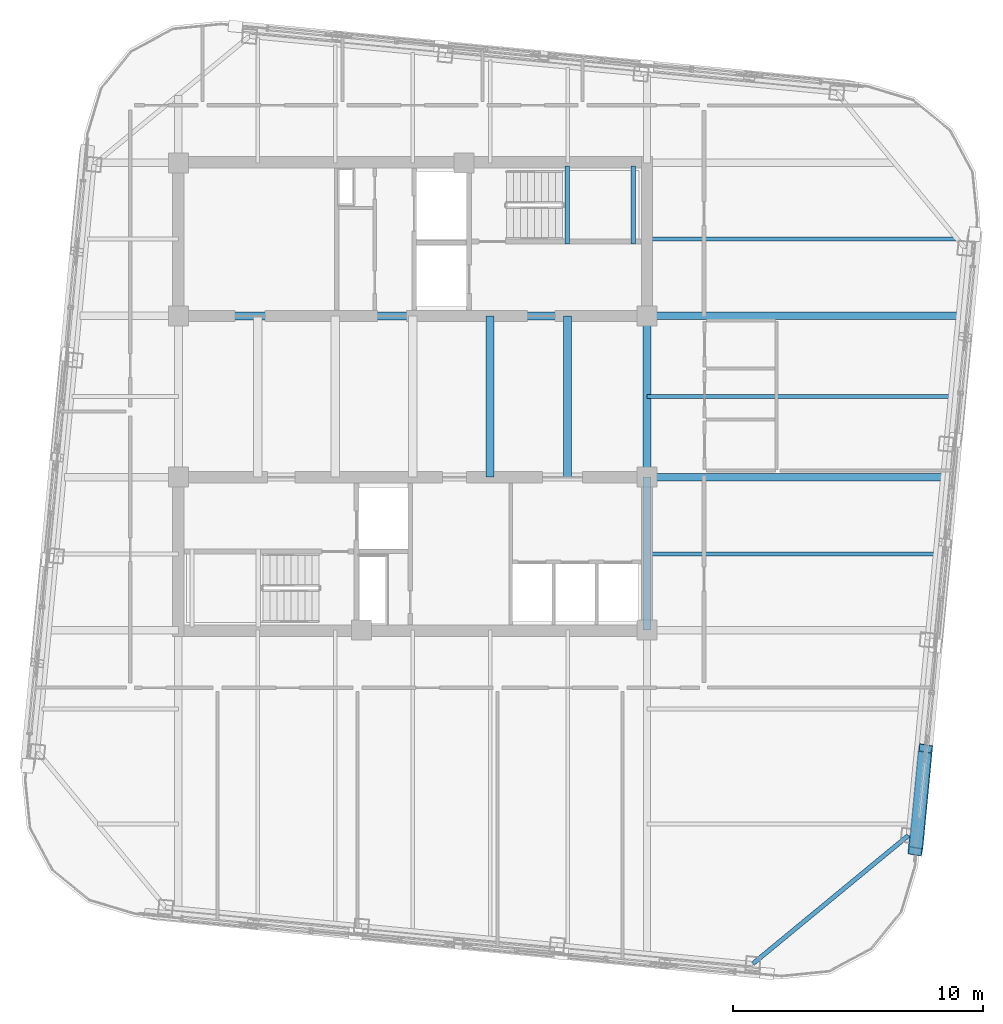
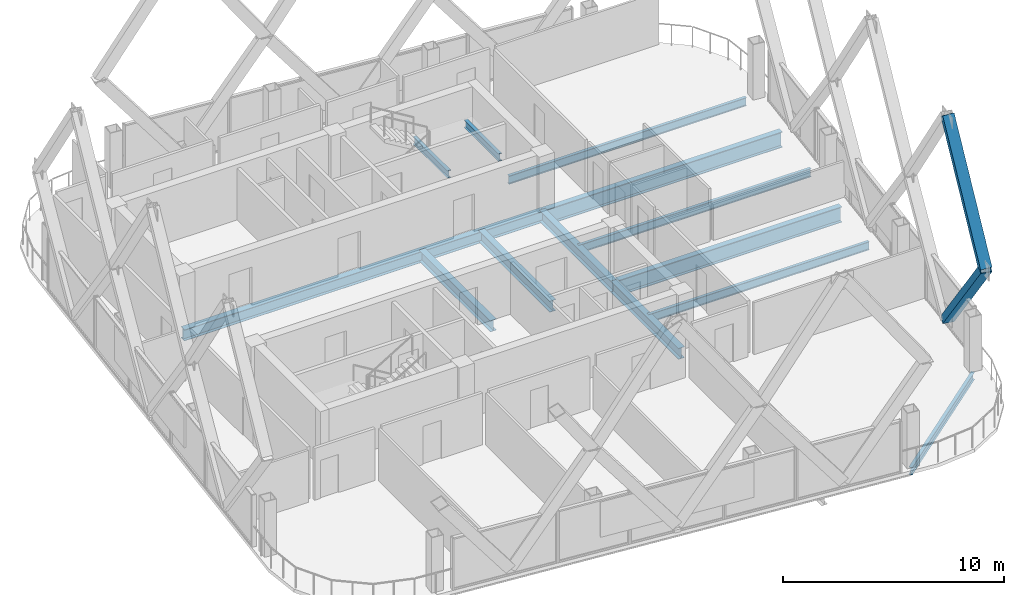
# One storey, part 12 of 25: 13 beams, 2 members.
"""IFC4 building model written with IfcOpenShell, lengths in metres."""

from ifc_helpers import new_model, si_unit, direction, frame, origin, origin_2d, place, context, subcontext, project, spatial, hollow_rectangle, i_section, extrude, material, material_profile, profile_set, type_object, element, save


model = new_model("IFC4")

# Units and contexts
model_context = context("Model", 3, precision=1e-05, world=origin(), true_north=direction((0.0, 1.0)))
body_context = subcontext(model_context, "Body", "Model", "MODEL_VIEW")
ifc_project = project(units=[si_unit("LENGTHUNIT", "METRE"), si_unit("AREAUNIT", "SQUARE_METRE"), si_unit("VOLUMEUNIT", "CUBIC_METRE"), si_unit("PLANEANGLEUNIT", "RADIAN"), si_unit("MASSUNIT", "GRAM", prefix="KILO")], contexts=[model_context])

# Site, building, storey
site_placement = place(None, origin())
site = spatial("IfcSite", under=ifc_project, at=site_placement, CompositionType="ELEMENT")
building_placement = place(site_placement, origin())
building = spatial("IfcBuilding", under=site, at=building_placement, Name="Qhalaya Broadcast Tower", CompositionType="ELEMENT")
storey_placement = place(building_placement, frame((0.0, 0.0, 255.050048828125)))
storey = spatial("IfcBuildingStorey", under=building, at=storey_placement, Name="L75", CompositionType="ELEMENT", Elevation=255.050048828125)

# Beams
ifc_material_1 = material(Name="Structural Steel ASTM A992 Grade 50", Category="steel")
ifc_material_profile_1 = material_profile(ifc_material_1, i_section(OverallWidth=0.154052734375, OverallDepth=0.458984375, WebThickness=0.009033203125, FlangeThickness=0.015380859375, at=origin_2d()), Name="W18X46")
ifc_profile_set_1 = profile_set([ifc_material_profile_1], Name="Structural Steel ASTM A992 Grade 50")
beam_type_1 = type_object("IfcBeamType", Name="Composite Floor Joist J04", PredefinedType="JOIST", material=ifc_profile_set_1)
beam_1_placement = place(storey_placement, frame((9.375, -5.699951171875, -0.41943359375), z_axis=(1.0, 0.0, 0.0), x_axis=(0.0, 1.0, 0.0)))
element("IfcBeam", 1, at=beam_1_placement, inside=storey, type_object=beam_type_1, Name="L75 J04 L75-JWE3E-1", PredefinedType="JOIST", context=body_context, shape_type="SweptSolid", body=[
    extrude(i_section(OverallWidth=0.154052734375, OverallDepth=0.458984375, WebThickness=0.009033203125, FlangeThickness=0.015380859375, at=origin_2d()), origin(), (0.0, 0.0, 1.0), 11.517822265625),
])
beam_2_placement = place(storey_placement, frame((9.375, 0.60009765625, -0.41943359375), z_axis=(1.0, 0.0, 0.0), x_axis=(0.0, 1.0, 0.0)))
element("IfcBeam", 2, at=beam_2_placement, inside=storey, type_object=beam_type_1, Name="L75 J04 L75-JWE4E-1", PredefinedType="JOIST", context=body_context, shape_type="SweptSolid", body=[
    extrude(i_section(OverallWidth=0.154052734375, OverallDepth=0.458984375, WebThickness=0.009033203125, FlangeThickness=0.015380859375, at=origin_2d()), origin(), (0.0, 0.0, 1.0), 12.12451171875),
])
beam_3_placement = place(storey_placement, frame((9.375, 6.89990234375, -0.41943359375), z_axis=(1.0, 0.0, 0.0), x_axis=(0.0, 1.0, 0.0)))
element("IfcBeam", 3, at=beam_3_placement, inside=storey, type_object=beam_type_1, Name="L75 J04 L75-JWE5E-1", PredefinedType="JOIST", context=body_context, shape_type="SweptSolid", body=[
    extrude(i_section(OverallWidth=0.154052734375, OverallDepth=0.458984375, WebThickness=0.009033203125, FlangeThickness=0.015380859375, at=origin_2d()), origin(), (0.0, 0.0, 1.0), 12.38330078125),
])
ifc_material_profile_2 = material_profile(ifc_material_1, i_section(OverallWidth=0.323974609375, OverallDepth=0.612060546875, WebThickness=0.0126953125, FlangeThickness=0.01904296875, at=origin_2d()), Name="W24X104")
ifc_profile_set_2 = profile_set([ifc_material_profile_2], Name="Structural Steel ASTM A992 Grade 50")
beam_type_2 = type_object("IfcBeamType", Name="Core Frame Tie Beam B04", PredefinedType="BEAM", material=ifc_profile_set_2)
beam_4_placement = place(storey_placement, frame((-9.375, 3.824951171875, -0.49609375), z_axis=(1.0, 0.0, 0.0), x_axis=(0.0, 1.0, 0.0)))
element("IfcBeam", 4, at=beam_4_placement, inside=storey, type_object=beam_type_2, Name="L75 B04 L75-CCN1", PredefinedType="BEAM", context=body_context, shape_type="SweptSolid", body=[
    extrude(i_section(OverallWidth=0.323974609375, OverallDepth=0.612060546875, WebThickness=0.0126953125, FlangeThickness=0.01904296875, at=origin_2d()), origin(), (0.0, 0.0, 1.0), 18.75),
])
beam_5_placement = place(storey_placement, frame((9.375, -8.75, -0.49609375), z_axis=(0.0, 1.0, 0.0), x_axis=(-1.0, 0.0, 0.0)))
element("IfcBeam", 5, at=beam_5_placement, inside=storey, type_object=beam_type_2, Name="L75 B04 L75-CCS2", PredefinedType="BEAM", context=body_context, shape_type="SweptSolid", body=[
    extrude(i_section(OverallWidth=0.323974609375, OverallDepth=0.612060546875, WebThickness=0.0126953125, FlangeThickness=0.01904296875, at=origin_2d()), origin(), (0.0, 0.0, 1.0), 6.125),
])
for number, where, z_axis, x_axis, name in (
    (6, (9.375, -2.625, -0.49609375), (0.0, 1.0, 0.0), (-1.0, 0.0, 0.0), "L75 B04 L75-CCE"),
    (7, (3.10009765625, -2.625, -0.49609375), (0.0, 1.0, 0.0), (-1.0, 0.0, 0.0), "L75 B04 L75-JC4-1"),
    (8, (6.199951171875, -2.625, -0.49609375), (0.0, 1.0, 0.0), (-1.0, 0.0, 0.0), "L75 B04 L75-JC5-1"),
):
    element("IfcBeam", number, at=place(storey_placement, frame(where, z_axis=z_axis, x_axis=x_axis)), inside=storey, type_object=beam_type_2, Name=name, PredefinedType="BEAM", context=body_context, shape_type="SweptSolid", body=[
        extrude(i_section(OverallWidth=0.323974609375, OverallDepth=0.612060546875, WebThickness=0.0126953125, FlangeThickness=0.01904296875, at=origin_2d()), origin(), (0.0, 0.0, 1.0), 6.449951171875),
    ])

# Members
ifc_material_2 = material(Name="Structural Steel ASTM A572 Grade 50", Category="steel")
ifc_material_profile_3 = material_profile(ifc_material_2, hollow_rectangle(XDim=0.3798828125, YDim=0.550048828125, WallThickness=0.02490234375, at=origin_2d()), Name="BOX 380x550x25")
ifc_profile_set_3 = profile_set([ifc_material_profile_3], Name="Structural Steel ASTM A572 Grade 50")
member_type = type_object("IfcMemberType", Name="Exoskeleton Diamond Diagonal Upper EX4", PredefinedType="BRACE", material=ifc_profile_set_3)
member_1_placement = place(storey_placement, frame((20.505615234375, -13.478515625, 0.35986328125), z_axis=(-0.058301925892, -0.605362942159, 0.793811434597), x_axis=(0.171153078973, 0.777329359739, 0.60536409709)))
element("IfcMember", 9, at=member_1_placement, inside=storey, type_object=member_type, Name="B6 Exoskeleton Diamond Brace E1-D1", PredefinedType="BRACE", context=body_context, shape_type="SweptSolid", body=[
    extrude(hollow_rectangle(XDim=0.3798828125, YDim=0.550048828125, WallThickness=0.02490234375, at=origin_2d()), origin(), (0.0, 0.0, 1.0), 6.79638671875),
])
member_2_placement = place(storey_placement, frame((20.109375, -17.5927734375, 5.7548828125), z_axis=(0.055161336321, 0.572753444041, 0.817869622443), x_axis=(-0.17344881055, -0.801166493771, 0.572754536758)))
element("IfcMember", 10, at=member_2_placement, inside=storey, type_object=member_type, Name="B6 Exoskeleton Diamond Brace E1-D3", PredefinedType="BRACE", context=body_context, shape_type="SweptSolid", body=[
    extrude(hollow_rectangle(XDim=0.3798828125, YDim=0.550048828125, WallThickness=0.02490234375, at=origin_2d()), origin(), (0.0, 0.0, 1.0), 7.183349609375),
])

# Beams
ifc_material_profile_4 = material_profile(ifc_material_1, i_section(OverallWidth=0.2919921875, OverallDepth=0.85888671875, WebThickness=0.01708984375, FlangeThickness=0.031005859375, at=origin_2d()), Name="W33X169")
ifc_profile_set_4 = profile_set([ifc_material_profile_4], Name="Structural Steel ASTM A992 Grade 50")
beam_type_3 = type_object("IfcBeamType", Name="Upper Block Primary Girder PG4", PredefinedType="USERDEFINED", material=ifc_profile_set_4)
beam_6_placement = place(storey_placement, frame((9.375, -2.625, -0.61962890625), z_axis=(1.0, 0.0, 0.0), x_axis=(0.0, 1.0, 0.0)))
element("IfcBeam", 11, at=beam_6_placement, inside=storey, type_object=beam_type_3, Name="L75 PG4 L75-PGYE2-1", ObjectType="GIRDER", PredefinedType="USERDEFINED", context=body_context, shape_type="SweptSolid", body=[
    extrude(i_section(OverallWidth=0.2919921875, OverallDepth=0.85888671875, WebThickness=0.01708984375, FlangeThickness=0.031005859375, at=origin_2d()), origin(), (0.0, 0.0, 1.0), 11.81396484375),
])
beam_7_placement = place(storey_placement, frame((9.375, 3.824951171875, -0.61962890625), z_axis=(1.0, 0.0, 0.0), x_axis=(0.0, 1.0, 0.0)))
element("IfcBeam", 12, at=beam_7_placement, inside=storey, type_object=beam_type_3, Name="L75 PG4 L75-PGYE3-1", ObjectType="GIRDER", PredefinedType="USERDEFINED", context=body_context, shape_type="SweptSolid", body=[
    extrude(i_section(OverallWidth=0.2919921875, OverallDepth=0.85888671875, WebThickness=0.01708984375, FlangeThickness=0.031005859375, at=origin_2d()), origin(), (0.0, 0.0, 1.0), 12.43505859375),
])
ifc_material_profile_5 = material_profile(ifc_material_1, i_section(OverallWidth=0.177978515625, OverallDepth=0.406005859375, WebThickness=0.0078125, FlangeThickness=0.0126953125, at=origin_2d()), Name="W16X40")
ifc_profile_set_5 = profile_set([ifc_material_profile_5], Name="Structural Steel ASTM A992 Grade 50")
beam_type_4 = type_object("IfcBeamType", Name="Upper Perimeter Spandrel Beam SP2", PredefinedType="SPANDREL", material=ifc_profile_set_5)
beam_8_placement = place(storey_placement, frame((13.6083984375, -22.09033203125, -0.39306640625), z_axis=(0.771631160126, 0.636070241972, 0.0), x_axis=(-0.636070241972, 0.771631160126, 0.0)))
element("IfcBeam", 13, at=beam_8_placement, inside=storey, type_object=beam_type_4, Name="L75 SP2 L75-SPR-04", PredefinedType="SPANDREL", context=body_context, shape_type="SweptSolid", body=[
    extrude(i_section(OverallWidth=0.177978515625, OverallDepth=0.406005859375, WebThickness=0.0078125, FlangeThickness=0.0126953125, at=origin_2d()), origin(), (0.0, 0.0, 1.0), 8.06103515625),
])
for number, where, z_axis, x_axis, name in (
    (14, (6.175048828125, 6.699951171875, 1.1220703125), (0.0, 1.0, 0.0), (-1.0, 0.0, 0.0), "L75 ST-1 Half-Landing Bearer Beam 1"),
    (15, (8.830078125, 6.699951171875, 1.1220703125), (0.0, 1.0, 0.0), (-1.0, 0.0, 0.0), "L75 ST-1 Half-Landing Bearer Beam 2"),
):
    element("IfcBeam", number, at=place(storey_placement, frame(where, z_axis=z_axis, x_axis=x_axis)), inside=storey, type_object=beam_type_4, Name=name, PredefinedType="SPANDREL", context=body_context, shape_type="SweptSolid", body=[
        extrude(i_section(OverallWidth=0.177978515625, OverallDepth=0.406005859375, WebThickness=0.0078125, FlangeThickness=0.0126953125, at=origin_2d()), origin(), (0.0, 0.0, 1.0), 3.1201171875),
    ])

save(model, "model.ifc")
